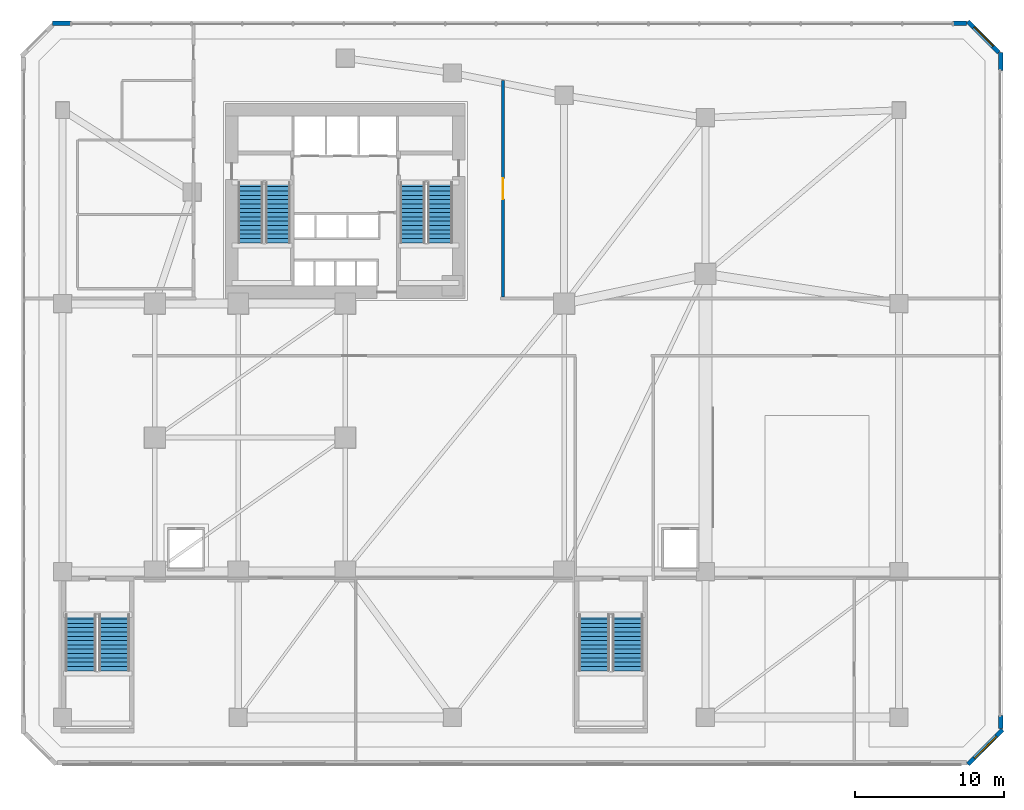
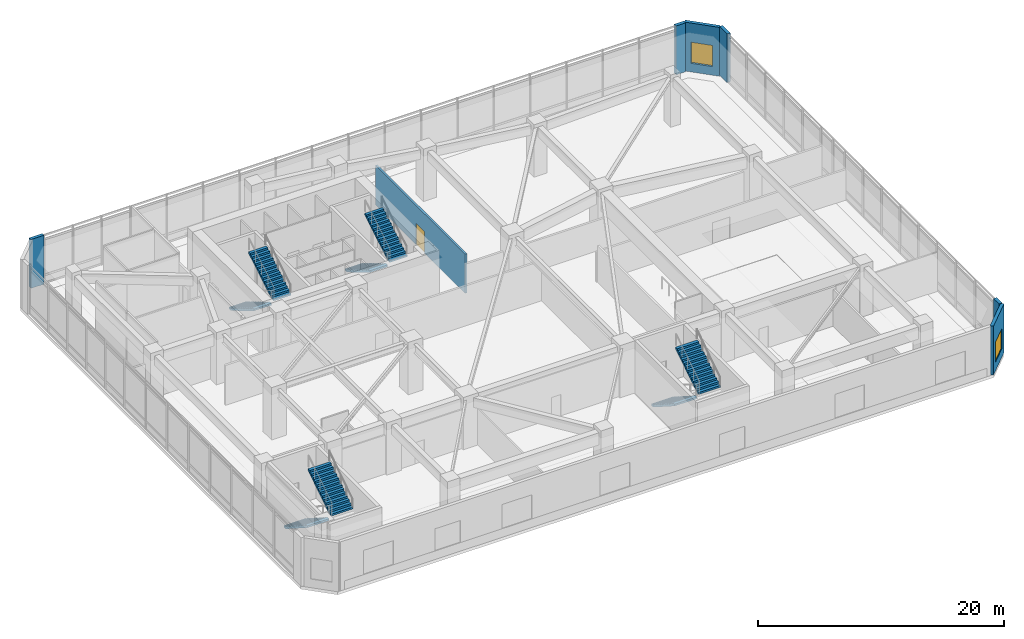
# One storey, part 12 of 15: 8 stair flights, 7 walls, 2 windows, 1 door, 3 openings, 4 elements without a shape of their own.
"""IFC4 building model written with IfcOpenShell, lengths in metres."""

from ifc_helpers import new_model, si_unit, direction, frame, frame_2d, origin, place, context, subcontext, project, spatial, polyline, rectangle, outline, extrude, source, transform, mapped, material, layer, layer_set, type_object, element, fill, aggregate, save


model = new_model("IFC4")

# Units and contexts
model_context = context("Model", 3, precision=1e-05, world=origin(), true_north=direction((0.0, 1.0)))
body_context = subcontext(model_context, "Body", "Model", "MODEL_VIEW")
ifc_project = project(units=[si_unit("LENGTHUNIT", "METRE"), si_unit("AREAUNIT", "SQUARE_METRE"), si_unit("VOLUMEUNIT", "CUBIC_METRE"), si_unit("PLANEANGLEUNIT", "RADIAN"), si_unit("MASSUNIT", "GRAM", prefix="KILO")], contexts=[model_context])

# Site, building, storey
site_placement = place(None, origin())
site = spatial("IfcSite", under=ifc_project, at=site_placement, CompositionType="ELEMENT")
building_placement = place(site_placement, origin())
building = spatial("IfcBuilding", under=site, at=building_placement, Name="Calvemar Wedge Station Tower", CompositionType="ELEMENT")
storey_placement = place(building_placement, frame((0.0, 0.0, 16.39990234375)))
storey = spatial("IfcBuildingStorey", under=building, at=storey_placement, Name="L04", CompositionType="ELEMENT", Elevation=16.39990234375)

# Wall, opening, door
ifc_material_1 = material(Name="Double-stud fire-rated corridor partition")
ifc_layer_1 = layer(ifc_material_1, 0.179931640625)
ifc_layer_set_1 = layer_set([ifc_layer_1], Name="Double-stud fire-rated corridor partition")
wall_type_1 = type_object("IfcWallType", Name="W-CORR-180", PredefinedType="PARTITIONING", material=ifc_layer_set_1)
wall_1_placement = place(storey_placement, frame((34.39990234375, 48.0, 0.0), z_axis=(0.0, 0.0, 1.0), x_axis=(0.0, -1.0, 0.0)))
wall_1 = element("IfcWall", 1, at=wall_1_placement, inside=storey, type_object=wall_type_1, Name="Storey L04 Interior Partition WL-L04-013", PredefinedType="PARTITIONING", context=body_context, shape_type="SweptSolid", body=[
    extrude(rectangle(XDim=14.555908203125, YDim=0.179931640625, at=frame_2d((7.27783203125, 0.0))), origin(), (0.0, 0.0, 1.0), 3.89208984375),
])
shared_shape_1 = source(origin(), body_context, "Body", "SweptSolid", [
    extrude(rectangle(XDim=1.39990234375, YDim=2.14990234375, at=frame_2d((0.699951171875, 1.074951171875))), frame((0.0, 0.10009765625, 0.0), z_axis=(0.0, -1.0, 0.0), x_axis=(1.0, 0.0, 0.0)), (0.0, 0.0, 1.0), 0.199951171875),
])
opening_1_placement = place(wall_1_placement, frame((6.577880859375, 0.0, 0.0)))
opening_1 = element("IfcOpeningElement", 2, at=opening_1_placement, cuts=wall_1, Name="Opening DD-140", PredefinedType="OPENING", context=body_context, shape_type="MappedRepresentation", body=[
    mapped(shared_shape_1, transform((0.0, 0.0, 0.0), scale=1.0)),
])
ifc_material_2 = material(Name="Double-leaf corridor acoustic fire door EI 60")
door_type = type_object("IfcDoorType", Name="DR-DBL-1400", OperationType="DOUBLE_DOOR_SINGLE_SWING", PredefinedType="DOOR", material=ifc_material_2)
shared_shape_2 = source(origin(), body_context, "Body", "SweptSolid", [
    extrude(rectangle(XDim=1.39990234375, YDim=2.14990234375, at=frame_2d((0.699951171875, 1.074951171875))), frame((0.0, 0.02490234375, 0.0), z_axis=(0.0, -1.0, 0.0), x_axis=(1.0, 0.0, 0.0)), (0.0, 0.0, 1.0), 0.050048828125),
])
door_placement = place(opening_1_placement, origin())
door = element("IfcDoor", 3, at=door_placement, inside=storey, type_object=door_type, Name="L04 Podium Cocktail Lounge Door", OperationType="SINGLE_SWING_LEFT", OverallHeight=2.14990234375, OverallWidth=1.39990234375, PredefinedType="DOOR", context=body_context, shape_type="MappedRepresentation", body=[
    mapped(shared_shape_2, transform((0.0, 0.0, 0.0), scale=1.0)),
])
fill(opening_1, door)

# Wall, opening, window
ifc_material_3 = material(Name="Precast concrete C45", Category="concrete")
ifc_layer_2 = layer(ifc_material_3, 0.300048828125)
ifc_layer_set_2 = layer_set([ifc_layer_2], Name="Precast concrete C45")
wall_type_2 = type_object("IfcWallType", Name="W-EXT-GFRC-300", PredefinedType="SOLIDWALL", material=ifc_layer_set_2)
wall_2_placement = place(storey_placement, frame((65.6318359375, 2.0439453125, 0.0), z_axis=(0.0, 0.0, 1.0), x_axis=(0.707106781187, 0.707106781187, 0.0)))
wall_2 = element("IfcWall", 4, at=wall_2_placement, inside=storey, type_object=wall_type_2, Name="Storey L04 Bronze GFRC Exterior Wall 1", PredefinedType="SOLIDWALL", context=body_context, shape_type="SweptSolid", body=[
    extrude(rectangle(XDim=3.286865234375, YDim=0.300048828125, at=frame_2d((1.6435546875, 0.0))), origin(), (0.0, 0.0, 1.0), 4.85009765625),
])
shared_shape_3 = source(origin(), body_context, "Body", "SweptSolid", [
    extrude(rectangle(XDim=2.10009765625, YDim=2.0, at=frame_2d((1.050048828125, 1.0))), frame((0.0, 0.16015625, 0.0), z_axis=(0.0, -1.0, 0.0), x_axis=(1.0, 0.0, 0.0)), (0.0, 0.0, 1.0), 0.320068359375),
])
opening_2_placement = place(wall_2_placement, frame((0.593994140625, 0.0, 0.85009765625)))
opening_2 = element("IfcOpeningElement", 5, at=opening_2_placement, cuts=wall_2, Name="Opening W4", PredefinedType="OPENING", context=body_context, shape_type="MappedRepresentation", body=[
    mapped(shared_shape_3, transform((0.0, 0.0, 0.0), scale=1.0)),
])
ifc_material_4 = material(Name="Low-E laminated insulated glass", Category="glass")
window_type_1 = type_object("IfcWindowType", Name="WIN-EXT-4", PartitioningType="SINGLE_PANEL", PredefinedType="WINDOW", material=ifc_material_4)
shared_shape_4 = source(origin(), body_context, "Body", "SweptSolid", [
    extrude(rectangle(XDim=2.10009765625, YDim=2.0, at=frame_2d((1.050048828125, 1.0))), frame((0.0, -0.014892578125, 0.0), z_axis=(0.0, -1.0, 0.0), x_axis=(1.0, 0.0, 0.0)), (0.0, 0.0, 1.0), 0.06005859375),
])
window_1_placement = place(opening_2_placement, origin())
window_1 = element("IfcWindow", 6, at=window_1_placement, inside=storey, type_object=window_type_1, Name="Storey L04 Recessed Window 1.1", OverallHeight=2.0, OverallWidth=2.10009765625, PartitioningType="SINGLE_PANEL", PredefinedType="WINDOW", context=body_context, shape_type="MappedRepresentation", body=[
    mapped(shared_shape_4, transform((0.0, 0.0, 0.0), scale=1.0)),
])
fill(opening_2, window_1)

# Walls
wall_3_placement = place(storey_placement, frame((67.85009765625, 4.457275390625, 0.0), z_axis=(0.0, 0.0, 1.0), x_axis=(0.0, 1.0, 0.0)))
element("IfcWall", 7, at=wall_3_placement, inside=storey, type_object=wall_type_2, Name="Storey L04 Bronze GFRC Corner Pier 2A", PredefinedType="SOLIDWALL", context=body_context, shape_type="SweptSolid", body=[
    extrude(rectangle(XDim=0.87744140625, YDim=0.300048828125, at=frame_2d((0.438720703125, 0.0))), origin(), (0.0, 0.0, 1.0), 4.85009765625),
])
wall_4_placement = place(storey_placement, frame((67.85009765625, 48.665283203125, 0.0), z_axis=(0.0, 0.0, 1.0), x_axis=(0.0, 1.0, 0.0)))
element("IfcWall", 8, at=wall_4_placement, inside=storey, type_object=wall_type_2, Name="Storey L04 Bronze GFRC Corner Pier 2B", PredefinedType="SOLIDWALL", context=body_context, shape_type="SweptSolid", body=[
    extrude(rectangle(XDim=1.22265625, YDim=0.300048828125, at=frame_2d((0.611328125, 0.0))), origin(), (0.0, 0.0, 1.0), 4.85009765625),
])

# Wall, opening, window
wall_5_placement = place(storey_placement, frame((67.7119140625, 49.8759765625, 0.0), z_axis=(0.0, 0.0, 1.0), x_axis=(-0.707106781187, 0.707106781187, 0.0)))
wall_5 = element("IfcWall", 9, at=wall_5_placement, inside=storey, type_object=wall_type_2, Name="Storey L04 Bronze GFRC Exterior Wall 3", PredefinedType="SOLIDWALL", context=body_context, shape_type="SweptSolid", body=[
    extrude(rectangle(XDim=2.941650390625, YDim=0.300048828125, at=frame_2d((1.470703125, 0.0))), origin(), (0.0, 0.0, 1.0), 4.85009765625),
])
shared_shape_5 = source(origin(), body_context, "Body", "SweptSolid", [
    extrude(rectangle(XDim=1.800048828125, YDim=2.10009765625, at=frame_2d((0.89990234375, 1.050048828125))), frame((0.0, 0.16015625, 0.0), z_axis=(0.0, -1.0, 0.0), x_axis=(1.0, 0.0, 0.0)), (0.0, 0.0, 1.0), 0.320068359375),
])
opening_3_placement = place(wall_5_placement, frame((0.571044921875, 0.0, 0.85009765625)))
opening_3 = element("IfcOpeningElement", 10, at=opening_3_placement, cuts=wall_5, Name="Opening W2", PredefinedType="OPENING", context=body_context, shape_type="MappedRepresentation", body=[
    mapped(shared_shape_5, transform((0.0, 0.0, 0.0), scale=1.0)),
])
window_type_2 = type_object("IfcWindowType", Name="WIN-EXT-2", PartitioningType="SINGLE_PANEL", PredefinedType="WINDOW", material=ifc_material_4)
shared_shape_6 = source(origin(), body_context, "Body", "SweptSolid", [
    extrude(rectangle(XDim=1.800048828125, YDim=2.10009765625, at=frame_2d((0.89990234375, 1.050048828125))), frame((0.0, -0.014892578125, 0.0), z_axis=(0.0, -1.0, 0.0), x_axis=(1.0, 0.0, 0.0)), (0.0, 0.0, 1.0), 0.06005859375),
])
window_2_placement = place(opening_3_placement, origin())
window_2 = element("IfcWindow", 11, at=window_2_placement, inside=storey, type_object=window_type_2, Name="Storey L04 Recessed Window 3.1", OverallHeight=2.10009765625, OverallWidth=1.800048828125, PartitioningType="SINGLE_PANEL", PredefinedType="WINDOW", context=body_context, shape_type="MappedRepresentation", body=[
    mapped(shared_shape_6, transform((0.0, 0.0, 0.0), scale=1.0)),
])
fill(opening_3, window_2)

# Walls
wall_6_placement = place(storey_placement, frame((65.542724609375, 51.85009765625, 0.0), z_axis=(0.0, 0.0, 1.0), x_axis=(-1.0, 0.0, 0.0)))
element("IfcWall", 12, at=wall_6_placement, inside=storey, type_object=wall_type_2, Name="Storey L04 Bronze GFRC Corner Pier 4A", PredefinedType="SOLIDWALL", context=body_context, shape_type="SweptSolid", body=[
    extrude(rectangle(XDim=0.87744140625, YDim=0.300048828125, at=frame_2d((0.438720703125, 0.0))), origin(), (0.0, 0.0, 1.0), 4.85009765625),
])
wall_7_placement = place(storey_placement, frame((5.334716796875, 51.85009765625, 0.0), z_axis=(0.0, 0.0, 1.0), x_axis=(-1.0, 0.0, 0.0)))
element("IfcWall", 13, at=wall_7_placement, inside=storey, type_object=wall_type_2, Name="Storey L04 Bronze GFRC Corner Pier 4B", PredefinedType="SOLIDWALL", context=body_context, shape_type="SweptSolid", body=[
    extrude(rectangle(XDim=1.22265625, YDim=0.300048828125, at=frame_2d((0.611328125, 0.0))), origin(), (0.0, 0.0, 1.0), 4.85009765625),
])

# Stair, stair flights
ifc_material_5 = material(Name="Concrete C45", Category="concrete")
stair_type_1 = type_object("IfcStairType", Name="ST-TYPE-5200", PredefinedType="HALF_TURN_STAIR", material=ifc_material_5)
stair_1_placement = place(storey_placement, origin())
stair_1 = element("IfcStair", 14, at=stair_1_placement, inside=storey, type_object=stair_type_1, Name="L04 Pressurized Core Exit Stair ST-C1", PredefinedType="HALF_TURN_STAIR")
stair_flight_type_1 = type_object("IfcStairFlightType", Name="STF-TYPE-5200", PredefinedType="STRAIGHT", material=ifc_material_5)
stair_flight_1_placement = place(storey_placement, frame((17.429931640625, 41.14990234375, 0.0), z_axis=(0.0, 0.0, 1.0), x_axis=(0.0, -1.0, 0.0)))
stair_flight_1 = element("IfcStairFlight", 15, at=stair_flight_1_placement, type_object=stair_flight_type_1, Name="ST-C1 flight 1", NumberOfRisers=15, NumberOfTreads=14, PredefinedType="STRAIGHT", RiserHeight=0.173333333, TreadLength=0.29, context=body_context, shape_type="SweptSolid", body=[
    extrude(outline(polyline([(0.0, 0.0), (0.0, 0.17333984375), (0.2900390625, 0.17333984375), (0.2900390625, 0.3466796875), (0.580078125, 0.3466796875), (0.580078125, 0.52001953125), (0.8701171875, 0.52001953125), (0.8701171875, 0.693359375), (1.159912109375, 0.693359375), (1.159912109375, 0.86669921875), (1.449951171875, 0.86669921875), (1.449951171875, 1.0400390625), (1.739990234375, 1.0400390625), (1.739990234375, 1.21337890625), (2.030029296875, 1.21337890625), (2.030029296875, 1.38671875), (2.320068359375, 1.38671875), (2.320068359375, 1.56005859375), (2.610107421875, 1.56005859375), (2.610107421875, 1.7333984375), (2.89990234375, 1.7333984375), (2.89990234375, 1.90673828125), (3.18994140625, 1.90673828125), (3.18994140625, 2.080078125), (3.47998046875, 2.080078125), (3.47998046875, 2.25341796875), (3.77001953125, 2.25341796875), (3.77001953125, 2.4267578125), (4.06005859375, 2.4267578125), (4.06005859375, 2.60009765625), (4.06005859375, 2.251953125), (0.292236328125, 0.0), (0.0, 0.0)])), frame((0.0, 0.830078125, 0.0), z_axis=(0.0, -1.0, 0.0), x_axis=(1.0, 0.0, 0.0)), (0.0, 0.0, 1.0), 1.659912109375),
])
stair_flight_2_placement = place(storey_placement, frame((19.27001953125, 37.090087890625, 2.60009765625), z_axis=(0.0, 0.0, 1.0), x_axis=(0.0, 1.0, 0.0)))
stair_flight_2 = element("IfcStairFlight", 16, at=stair_flight_2_placement, type_object=stair_flight_type_1, Name="ST-C1 flight 2", NumberOfRisers=15, NumberOfTreads=14, PredefinedType="STRAIGHT", RiserHeight=0.173333333, TreadLength=0.29, context=body_context, shape_type="SweptSolid", body=[
    extrude(outline(polyline([(0.0, 0.0), (0.0, 0.17333984375), (0.2900390625, 0.17333984375), (0.2900390625, 0.3466796875), (0.580078125, 0.3466796875), (0.580078125, 0.52001953125), (0.8701171875, 0.52001953125), (0.8701171875, 0.693359375), (1.159912109375, 0.693359375), (1.159912109375, 0.86669921875), (1.449951171875, 0.86669921875), (1.449951171875, 1.0400390625), (1.739990234375, 1.0400390625), (1.739990234375, 1.21337890625), (2.030029296875, 1.21337890625), (2.030029296875, 1.38671875), (2.320068359375, 1.38671875), (2.320068359375, 1.56005859375), (2.610107421875, 1.56005859375), (2.610107421875, 1.7333984375), (2.89990234375, 1.7333984375), (2.89990234375, 1.90673828125), (3.18994140625, 1.90673828125), (3.18994140625, 2.080078125), (3.47998046875, 2.080078125), (3.47998046875, 2.25341796875), (3.77001953125, 2.25341796875), (3.77001953125, 2.4267578125), (4.06005859375, 2.4267578125), (4.06005859375, 2.60009765625), (4.06005859375, 2.251953125), (0.292236328125, 0.0), (0.0, 0.0)])), frame((0.0, 0.830078125, 0.0), z_axis=(0.0, -1.0, 0.0), x_axis=(1.0, 0.0, 0.0)), (0.0, 0.0, 1.0), 1.659912109375),
])
aggregate(stair_1, [stair_flight_1, stair_flight_2])

stair_2_placement = place(storey_placement, origin())
stair_2 = element("IfcStair", 17, at=stair_2_placement, inside=storey, type_object=stair_type_1, Name="L04 Pressurized Core Exit Stair ST-C2", PredefinedType="HALF_TURN_STAIR")
stair_flight_3_placement = place(storey_placement, frame((28.330078125, 41.14990234375, 0.0), z_axis=(0.0, 0.0, 1.0), x_axis=(0.0, -1.0, 0.0)))
stair_flight_3 = element("IfcStairFlight", 18, at=stair_flight_3_placement, type_object=stair_flight_type_1, Name="ST-C2 flight 1", NumberOfRisers=15, NumberOfTreads=14, PredefinedType="STRAIGHT", RiserHeight=0.173333333, TreadLength=0.29, context=body_context, shape_type="SweptSolid", body=[
    extrude(outline(polyline([(0.0, 0.0), (0.0, 0.17333984375), (0.2900390625, 0.17333984375), (0.2900390625, 0.3466796875), (0.580078125, 0.3466796875), (0.580078125, 0.52001953125), (0.8701171875, 0.52001953125), (0.8701171875, 0.693359375), (1.159912109375, 0.693359375), (1.159912109375, 0.86669921875), (1.449951171875, 0.86669921875), (1.449951171875, 1.0400390625), (1.739990234375, 1.0400390625), (1.739990234375, 1.21337890625), (2.030029296875, 1.21337890625), (2.030029296875, 1.38671875), (2.320068359375, 1.38671875), (2.320068359375, 1.56005859375), (2.610107421875, 1.56005859375), (2.610107421875, 1.7333984375), (2.89990234375, 1.7333984375), (2.89990234375, 1.90673828125), (3.18994140625, 1.90673828125), (3.18994140625, 2.080078125), (3.47998046875, 2.080078125), (3.47998046875, 2.25341796875), (3.77001953125, 2.25341796875), (3.77001953125, 2.4267578125), (4.06005859375, 2.4267578125), (4.06005859375, 2.60009765625), (4.06005859375, 2.251953125), (0.292236328125, 0.0), (0.0, 0.0)])), frame((0.0, 0.830078125, 0.0), z_axis=(0.0, -1.0, 0.0), x_axis=(1.0, 0.0, 0.0)), (0.0, 0.0, 1.0), 1.659912109375),
])
stair_flight_4_placement = place(storey_placement, frame((30.169921875, 37.090087890625, 2.60009765625), z_axis=(0.0, 0.0, 1.0), x_axis=(0.0, 1.0, 0.0)))
stair_flight_4 = element("IfcStairFlight", 19, at=stair_flight_4_placement, type_object=stair_flight_type_1, Name="ST-C2 flight 2", NumberOfRisers=15, NumberOfTreads=14, PredefinedType="STRAIGHT", RiserHeight=0.173333333, TreadLength=0.29, context=body_context, shape_type="SweptSolid", body=[
    extrude(outline(polyline([(0.0, 0.0), (0.0, 0.17333984375), (0.2900390625, 0.17333984375), (0.2900390625, 0.3466796875), (0.580078125, 0.3466796875), (0.580078125, 0.52001953125), (0.8701171875, 0.52001953125), (0.8701171875, 0.693359375), (1.159912109375, 0.693359375), (1.159912109375, 0.86669921875), (1.449951171875, 0.86669921875), (1.449951171875, 1.0400390625), (1.739990234375, 1.0400390625), (1.739990234375, 1.21337890625), (2.030029296875, 1.21337890625), (2.030029296875, 1.38671875), (2.320068359375, 1.38671875), (2.320068359375, 1.56005859375), (2.610107421875, 1.56005859375), (2.610107421875, 1.7333984375), (2.89990234375, 1.7333984375), (2.89990234375, 1.90673828125), (3.18994140625, 1.90673828125), (3.18994140625, 2.080078125), (3.47998046875, 2.080078125), (3.47998046875, 2.25341796875), (3.77001953125, 2.25341796875), (3.77001953125, 2.4267578125), (4.06005859375, 2.4267578125), (4.06005859375, 2.60009765625), (4.06005859375, 2.251953125), (0.292236328125, 0.0), (0.0, 0.0)])), frame((0.0, 0.830078125, 0.0), z_axis=(0.0, -1.0, 0.0), x_axis=(1.0, 0.0, 0.0)), (0.0, 0.0, 1.0), 1.659912109375),
])
aggregate(stair_2, [stair_flight_3, stair_flight_4])

stair_type_2 = type_object("IfcStairType", Name="ST-TYPE-POD5200", PredefinedType="HALF_TURN_STAIR", material=ifc_material_5)
stair_3_placement = place(storey_placement, origin())
stair_3 = element("IfcStair", 20, at=stair_3_placement, inside=storey, type_object=stair_type_2, Name="L04 Station Podium Exit Stair ST-P1", PredefinedType="HALF_TURN_STAIR")
stair_flight_type_2 = type_object("IfcStairFlightType", Name="STF-TYPE-POD5200", PredefinedType="STRAIGHT", material=ifc_material_5)
stair_flight_5_placement = place(storey_placement, frame((6.02490234375, 12.10009765625, 0.0), z_axis=(0.0, 0.0, 1.0), x_axis=(0.0, -1.0, 0.0)))
stair_flight_5 = element("IfcStairFlight", 21, at=stair_flight_5_placement, type_object=stair_flight_type_2, Name="ST-P1 flight 1", NumberOfRisers=14, NumberOfTreads=13, PredefinedType="STRAIGHT", RiserHeight=0.185714286, TreadLength=0.29, context=body_context, shape_type="SweptSolid", body=[
    extrude(outline(polyline([(0.0, 0.0), (0.0, 0.185791015625), (0.2900390625, 0.185791015625), (0.2900390625, 0.371337890625), (0.580078125, 0.371337890625), (0.580078125, 0.55712890625), (0.8701171875, 0.55712890625), (0.8701171875, 0.742919921875), (1.159912109375, 0.742919921875), (1.159912109375, 0.928466796875), (1.449951171875, 0.928466796875), (1.449951171875, 1.1142578125), (1.739990234375, 1.1142578125), (1.739990234375, 1.300048828125), (2.030029296875, 1.300048828125), (2.030029296875, 1.485595703125), (2.320068359375, 1.485595703125), (2.320068359375, 1.67138671875), (2.610107421875, 1.67138671875), (2.610107421875, 1.857177734375), (2.89990234375, 1.857177734375), (2.89990234375, 2.04296875), (3.18994140625, 2.04296875), (3.18994140625, 2.228515625), (3.47998046875, 2.228515625), (3.47998046875, 2.414306640625), (3.77001953125, 2.414306640625), (3.77001953125, 2.60009765625), (3.77001953125, 2.236328125), (0.278076171875, 0.0), (0.0, 0.0)])), frame((0.0, 1.02490234375, 0.0), z_axis=(0.0, -1.0, 0.0), x_axis=(1.0, 0.0, 0.0)), (0.0, 0.0, 1.0), 2.050048828125),
])
stair_flight_6_placement = place(storey_placement, frame((8.27490234375, 8.330078125, 2.60009765625), z_axis=(0.0, 0.0, 1.0), x_axis=(0.0, 1.0, 0.0)))
stair_flight_6 = element("IfcStairFlight", 22, at=stair_flight_6_placement, type_object=stair_flight_type_2, Name="ST-P1 flight 2", NumberOfRisers=14, NumberOfTreads=13, PredefinedType="STRAIGHT", RiserHeight=0.185714286, TreadLength=0.29, context=body_context, shape_type="SweptSolid", body=[
    extrude(outline(polyline([(0.0, 0.0), (0.0, 0.185791015625), (0.2900390625, 0.185791015625), (0.2900390625, 0.371337890625), (0.580078125, 0.371337890625), (0.580078125, 0.55712890625), (0.8701171875, 0.55712890625), (0.8701171875, 0.742919921875), (1.159912109375, 0.742919921875), (1.159912109375, 0.928466796875), (1.449951171875, 0.928466796875), (1.449951171875, 1.1142578125), (1.739990234375, 1.1142578125), (1.739990234375, 1.300048828125), (2.030029296875, 1.300048828125), (2.030029296875, 1.485595703125), (2.320068359375, 1.485595703125), (2.320068359375, 1.67138671875), (2.610107421875, 1.67138671875), (2.610107421875, 1.857177734375), (2.89990234375, 1.857177734375), (2.89990234375, 2.04296875), (3.18994140625, 2.04296875), (3.18994140625, 2.228515625), (3.47998046875, 2.228515625), (3.47998046875, 2.414306640625), (3.77001953125, 2.414306640625), (3.77001953125, 2.60009765625), (3.77001953125, 2.236328125), (0.278076171875, 0.0), (0.0, 0.0)])), frame((0.0, 1.02490234375, 0.0), z_axis=(0.0, -1.0, 0.0), x_axis=(1.0, 0.0, 0.0)), (0.0, 0.0, 1.0), 2.050048828125),
])
aggregate(stair_3, [stair_flight_5, stair_flight_6])

stair_4_placement = place(storey_placement, origin())
stair_4 = element("IfcStair", 23, at=stair_4_placement, inside=storey, type_object=stair_type_2, Name="L04 Station Podium Exit Stair ST-P2", PredefinedType="HALF_TURN_STAIR")
stair_flight_7_placement = place(storey_placement, frame((40.52490234375, 12.10009765625, 0.0), z_axis=(0.0, 0.0, 1.0), x_axis=(0.0, -1.0, 0.0)))
stair_flight_7 = element("IfcStairFlight", 24, at=stair_flight_7_placement, type_object=stair_flight_type_2, Name="ST-P2 flight 1", NumberOfRisers=14, NumberOfTreads=13, PredefinedType="STRAIGHT", RiserHeight=0.185714286, TreadLength=0.29, context=body_context, shape_type="SweptSolid", body=[
    extrude(outline(polyline([(0.0, 0.0), (0.0, 0.185791015625), (0.2900390625, 0.185791015625), (0.2900390625, 0.371337890625), (0.580078125, 0.371337890625), (0.580078125, 0.55712890625), (0.8701171875, 0.55712890625), (0.8701171875, 0.742919921875), (1.159912109375, 0.742919921875), (1.159912109375, 0.928466796875), (1.449951171875, 0.928466796875), (1.449951171875, 1.1142578125), (1.739990234375, 1.1142578125), (1.739990234375, 1.300048828125), (2.030029296875, 1.300048828125), (2.030029296875, 1.485595703125), (2.320068359375, 1.485595703125), (2.320068359375, 1.67138671875), (2.610107421875, 1.67138671875), (2.610107421875, 1.857177734375), (2.89990234375, 1.857177734375), (2.89990234375, 2.04296875), (3.18994140625, 2.04296875), (3.18994140625, 2.228515625), (3.47998046875, 2.228515625), (3.47998046875, 2.414306640625), (3.77001953125, 2.414306640625), (3.77001953125, 2.60009765625), (3.77001953125, 2.236328125), (0.278076171875, 0.0), (0.0, 0.0)])), frame((0.0, 1.02490234375, 0.0), z_axis=(0.0, -1.0, 0.0), x_axis=(1.0, 0.0, 0.0)), (0.0, 0.0, 1.0), 2.050048828125),
])
stair_flight_8_placement = place(storey_placement, frame((42.77490234375, 8.330078125, 2.60009765625), z_axis=(0.0, 0.0, 1.0), x_axis=(0.0, 1.0, 0.0)))
stair_flight_8 = element("IfcStairFlight", 25, at=stair_flight_8_placement, type_object=stair_flight_type_2, Name="ST-P2 flight 2", NumberOfRisers=14, NumberOfTreads=13, PredefinedType="STRAIGHT", RiserHeight=0.185714286, TreadLength=0.29, context=body_context, shape_type="SweptSolid", body=[
    extrude(outline(polyline([(0.0, 0.0), (0.0, 0.185791015625), (0.2900390625, 0.185791015625), (0.2900390625, 0.371337890625), (0.580078125, 0.371337890625), (0.580078125, 0.55712890625), (0.8701171875, 0.55712890625), (0.8701171875, 0.742919921875), (1.159912109375, 0.742919921875), (1.159912109375, 0.928466796875), (1.449951171875, 0.928466796875), (1.449951171875, 1.1142578125), (1.739990234375, 1.1142578125), (1.739990234375, 1.300048828125), (2.030029296875, 1.300048828125), (2.030029296875, 1.485595703125), (2.320068359375, 1.485595703125), (2.320068359375, 1.67138671875), (2.610107421875, 1.67138671875), (2.610107421875, 1.857177734375), (2.89990234375, 1.857177734375), (2.89990234375, 2.04296875), (3.18994140625, 2.04296875), (3.18994140625, 2.228515625), (3.47998046875, 2.228515625), (3.47998046875, 2.414306640625), (3.77001953125, 2.414306640625), (3.77001953125, 2.60009765625), (3.77001953125, 2.236328125), (0.278076171875, 0.0), (0.0, 0.0)])), frame((0.0, 1.02490234375, 0.0), z_axis=(0.0, -1.0, 0.0), x_axis=(1.0, 0.0, 0.0)), (0.0, 0.0, 1.0), 2.050048828125),
])
aggregate(stair_4, [stair_flight_7, stair_flight_8])

save(model, "model.ifc")
